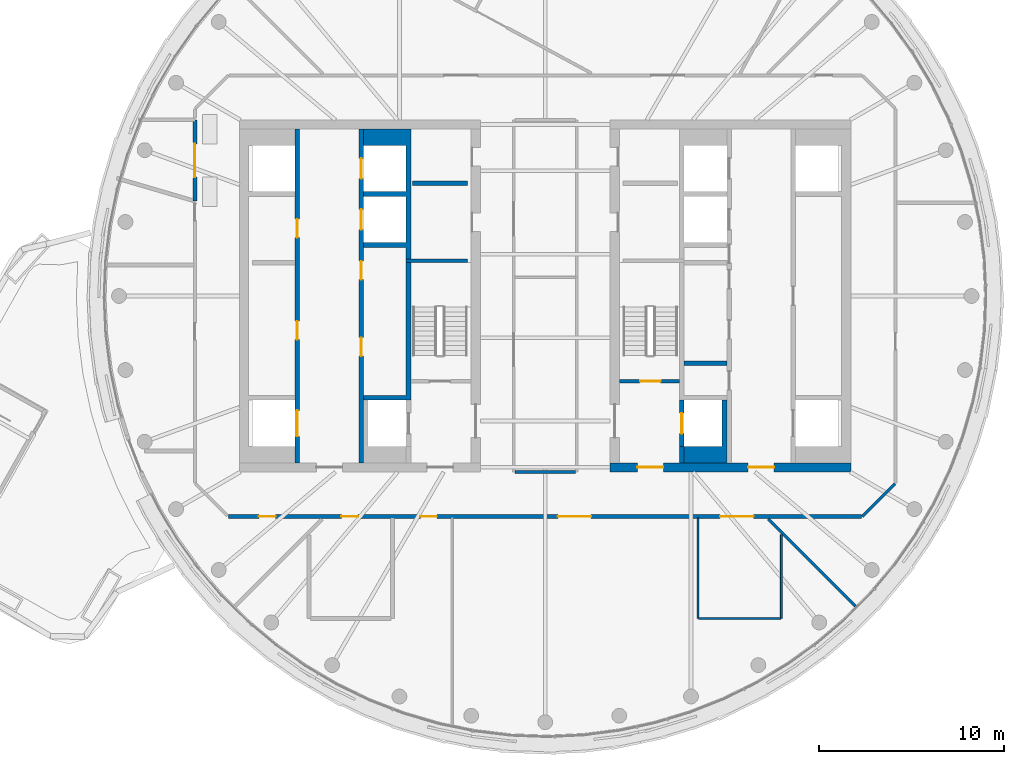
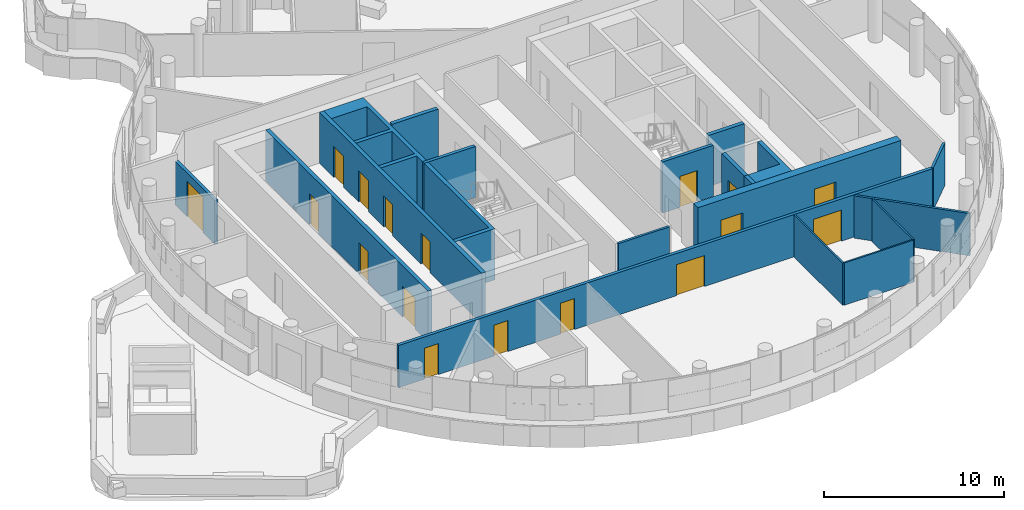
# One storey, part 14 of 22: 19 walls, 17 doors, 17 openings.
"""IFC4 building model written with IfcOpenShell, lengths in metres."""

from ifc_helpers import new_model, si_unit, direction, frame, frame_2d, origin, place, context, subcontext, project, spatial, polyline, rectangle, outline, extrude, material, layer, layer_set, type_object, element, fill, save


model = new_model("IFC4")

# Units and contexts
model_context = context("Model", 3, precision=1e-05, world=origin(), true_north=direction((0.0, 1.0)))
body_context = subcontext(model_context, "Body", "Model", "MODEL_VIEW")
ifc_project = project(units=[si_unit("LENGTHUNIT", "METRE"), si_unit("AREAUNIT", "SQUARE_METRE"), si_unit("VOLUMEUNIT", "CUBIC_METRE"), si_unit("PLANEANGLEUNIT", "RADIAN"), si_unit("MASSUNIT", "GRAM", prefix="KILO")], contexts=[model_context])

# Site, building, storey
site_placement = place(None, origin())
site = spatial("IfcSite", under=ifc_project, at=site_placement, CompositionType="ELEMENT")
building_placement = place(site_placement, origin())
building = spatial("IfcBuilding", under=site, at=building_placement, Name="Tamarind Cross Interchange Tower", CompositionType="ELEMENT")
storey_placement = place(building_placement, frame((0.0, 0.0, 256.800048828125)))
storey = spatial("IfcBuildingStorey", under=building, at=storey_placement, Name="L65", CompositionType="ELEMENT", Elevation=256.800048828125)

# Wall, opening, door
ifc_material_1 = material(Name="Concrete C40", Category="concrete")
ifc_layer_1 = layer(ifc_material_1, 0.199951171875)
ifc_layer_set_1 = layer_set([ifc_layer_1], Name="Concrete C40")
wall_type_1 = type_object("IfcWallType", Name="Balcony and garden door wall", PredefinedType="SOLIDWALL", material=ifc_layer_set_1)
wall_1_placement = place(storey_placement, frame((-18.89990234375, 9.5, 0.0), z_axis=(0.0, 0.0, 1.0), x_axis=(0.0, -1.0, 0.0)))
wall_1 = element("IfcWall", 1, at=wall_1_placement, inside=storey, type_object=wall_type_1, Name="EXW-L65-WG-L65-NNa", PredefinedType="SOLIDWALL", context=body_context, shape_type="SweptSolid", body=[
    extrude(rectangle(XDim=4.384033203125, YDim=0.199951171875, at=frame_2d((2.19189453125, 0.0))), origin(), (0.0, 0.0, 1.0), 2.9638671875),
])
opening_1_placement = place(wall_1_placement, frame((1.2919921875, 0.0, 0.0)))
opening_1 = element("IfcOpeningElement", 2, at=opening_1_placement, cuts=wall_1, Name="Opening D6", PredefinedType="OPENING", context=body_context, shape_type="SweptSolid", body=[
    extrude(rectangle(XDim=1.800048828125, YDim=2.39990234375, at=frame_2d((0.89990234375, 1.199951171875))), frame((0.0, 0.10986328125, 0.0), z_axis=(0.0, -1.0, 0.0), x_axis=(1.0, 0.0, 0.0)), (0.0, 0.0, 1.0), 0.219970703125),
])
ifc_material_2 = material(Name="Aluminium and toughened glass, fire-resisting", Category="aluminium")
door_type_1 = type_object("IfcDoorType", Name="Roof garden door, fire-resisting", OperationType="DOUBLE_DOOR_SINGLE_SWING", PredefinedType="DOOR", material=ifc_material_2)
door_1_placement = place(opening_1_placement, origin())
door_1 = element("IfcDoor", 3, at=door_1_placement, inside=storey, type_object=door_type_1, Name="DOR-L65-WG-L65-NNa", OperationType="SINGLE_SWING_LEFT", OverallHeight=2.39990234375, OverallWidth=1.800048828125, PredefinedType="DOOR", context=body_context, shape_type="SweptSolid", body=[
    extrude(rectangle(XDim=1.800048828125, YDim=2.39990234375, at=frame_2d((0.89990234375, 1.199951171875))), frame((0.0, 0.02490234375, 0.0), z_axis=(0.0, -1.0, 0.0), x_axis=(1.0, 0.0, 0.0)), (0.0, 0.0, 1.0), 0.050048828125),
])
fill(opening_1, door_1)

# Wall, openings, doors
ifc_material_3 = material(Name="Concrete C50", Category="concrete")
ifc_layer_2 = layer(ifc_material_3, 0.5)
ifc_layer_set_2 = layer_set([ifc_layer_2], Name="Concrete C50")
wall_type_2 = type_object("IfcWallType", Name="Core wall 500 mm Concrete C50", PredefinedType="SHEAR", material=ifc_layer_set_2)
wall_2_placement = place(storey_placement, frame((16.5, -9.25, 0.0), z_axis=(0.0, 0.0, 1.0), x_axis=(-1.0, 0.0, 0.0)))
wall_2 = element("IfcWall", 4, at=wall_2_placement, inside=storey, type_object=wall_type_2, Name="Core wall CWL-L65-E-S", PredefinedType="SHEAR", context=body_context, shape_type="SweptSolid", body=[
    extrude(rectangle(XDim=13.0, YDim=0.5, at=frame_2d((6.5, 0.0))), origin(), (0.0, 0.0, 1.0), 3.4599609375),
])
opening_2_placement = place(wall_2_placement, frame((4.14990234375, 0.0, 0.0)))
opening_2 = element("IfcOpeningElement", 5, at=opening_2_placement, cuts=wall_2, Name="Opening DCE1", PredefinedType="OPENING", context=body_context, shape_type="SweptSolid", body=[
    extrude(rectangle(XDim=1.39990234375, YDim=2.10009765625, at=frame_2d((0.699951171875, 1.050048828125))), frame((0.0, 0.260009765625, 0.0), z_axis=(0.0, -1.0, 0.0), x_axis=(1.0, 0.0, 0.0)), (0.0, 0.0, 1.0), 0.52001953125),
])
opening_3_placement = place(wall_2_placement, frame((10.125, 0.0, 0.0)))
opening_3 = element("IfcOpeningElement", 6, at=opening_3_placement, cuts=wall_2, Name="Opening DCEF", PredefinedType="OPENING", context=body_context, shape_type="SweptSolid", body=[
    extrude(rectangle(XDim=1.39990234375, YDim=2.10009765625, at=frame_2d((0.699951171875, 1.050048828125))), frame((0.0, 0.260009765625, 0.0), z_axis=(0.0, -1.0, 0.0), x_axis=(1.0, 0.0, 0.0)), (0.0, 0.0, 1.0), 0.52001953125),
])
ifc_material_4 = material(Name="Steel, fire-resisting", Category="steel")
door_type_2 = type_object("IfcDoorType", Name="Core fire door 1400 x 2100 FD90", OperationType="SINGLE_SWING_LEFT", PredefinedType="DOOR", material=ifc_material_4)
door_2_placement = place(opening_2_placement, origin())
door_2 = element("IfcDoor", 7, at=door_2_placement, inside=storey, type_object=door_type_2, Name="L65 lift lobby door", OperationType="SINGLE_SWING_LEFT", OverallHeight=2.10009765625, OverallWidth=1.39990234375, PredefinedType="DOOR", context=body_context, shape_type="SweptSolid", body=[
    extrude(rectangle(XDim=1.39990234375, YDim=2.10009765625, at=frame_2d((0.699951171875, 1.050048828125))), frame((0.0, 0.02490234375, 0.0), z_axis=(0.0, -1.0, 0.0), x_axis=(1.0, 0.0, 0.0)), (0.0, 0.0, 1.0), 0.050048828125),
])
fill(opening_2, door_2)
door_3_placement = place(opening_3_placement, origin())
door_3 = element("IfcDoor", 8, at=door_3_placement, inside=storey, type_object=door_type_2, Name="L65 firefighting lobby end door", OperationType="SINGLE_SWING_LEFT", OverallHeight=2.10009765625, OverallWidth=1.39990234375, PredefinedType="DOOR", context=body_context, shape_type="SweptSolid", body=[
    extrude(rectangle(XDim=1.39990234375, YDim=2.10009765625, at=frame_2d((0.699951171875, 1.050048828125))), frame((0.0, 0.02490234375, 0.0), z_axis=(0.0, -1.0, 0.0), x_axis=(1.0, 0.0, 0.0)), (0.0, 0.0, 1.0), 0.050048828125),
])
fill(opening_3, door_3)

# Walls
ifc_layer_3 = layer(ifc_material_3, 0.199951171875)
ifc_layer_set_3 = layer_set([ifc_layer_3], Name="Concrete C50")
wall_type_3 = type_object("IfcWallType", Name="Core web wall 200 mm Concrete C50", PredefinedType="SHEAR", material=ifc_layer_set_3)
wall_3_placement = place(storey_placement, frame((-7.5, 1.89990234375, 0.0), z_axis=(0.0, 0.0, 1.0), x_axis=(1.0, 0.0, 0.0)))
element("IfcWall", 9, at=wall_3_placement, inside=storey, type_object=wall_type_3, Name="Core wall CWL-L65-W-BD", PredefinedType="SHEAR", context=body_context, shape_type="SweptSolid", body=[
    extrude(rectangle(XDim=3.300048828125, YDim=0.199951171875, at=frame_2d((1.64990234375, 0.0))), origin(), (0.0, 0.0, 1.0), 3.4599609375),
])
ifc_layer_4 = layer(ifc_material_3, 0.25)
ifc_layer_set_4 = layer_set([ifc_layer_4], Name="Concrete C50")
wall_type_4 = type_object("IfcWallType", Name="Core web wall 250 mm Concrete C50", PredefinedType="SHEAR", material=ifc_layer_set_4)
wall_4_placement = place(storey_placement, origin())
element("IfcWall", 10, at=wall_4_placement, inside=storey, type_object=wall_type_4, Name="Core wall CWL-L65-W-BN", PredefinedType="SHEAR", context=body_context, shape_type="SweptSolid", body=[
    extrude(outline(polyline([(-9.800048828125, -5.375), (-9.800048828125, -5.625), (-7.5, -5.625), (-7.25, -5.625), (-7.25, 9.0), (-7.5, 9.0), (-9.800048828125, 9.0), (-9.800048828125, 8.125), (-7.5, 8.125), (-7.5, 5.625), (-9.800048828125, 5.625), (-9.800048828125, 5.375), (-7.5, 5.375), (-7.5, 2.875), (-9.800048828125, 2.875), (-9.800048828125, 2.625), (-7.5, 2.625), (-7.5, -5.375), (-9.800048828125, -5.375)])), origin(), (0.0, 0.0, 1.0), 3.4599609375),
])

# Wall, openings, doors
wall_5_placement = place(storey_placement, frame((-13.375, -9.0, 0.0), z_axis=(0.0, 0.0, 1.0), x_axis=(0.0, 1.0, 0.0)))
wall_5 = element("IfcWall", 11, at=wall_5_placement, inside=storey, type_object=wall_type_4, Name="Core wall CWL-L65-W-LA", PredefinedType="SHEAR", context=body_context, shape_type="SweptSolid", body=[
    extrude(rectangle(XDim=18.0, YDim=0.25, at=frame_2d((9.0, 0.0))), origin(), (0.0, 0.0, 1.0), 3.4599609375),
])
opening_4_placement = place(wall_5_placement, frame((1.425048828125, 0.0, 0.0)))
opening_4 = element("IfcOpeningElement", 12, at=opening_4_placement, cuts=wall_5, Name="Opening LD1L65", PredefinedType="OPENING", context=body_context, shape_type="SweptSolid", body=[
    extrude(rectangle(XDim=1.39990234375, YDim=2.10009765625, at=frame_2d((0.699951171875, 1.050048828125))), frame((0.0, 0.135009765625, 0.0), z_axis=(0.0, -1.0, 0.0), x_axis=(1.0, 0.0, 0.0)), (0.0, 0.0, 1.0), 0.27001953125),
])
opening_5_placement = place(wall_5_placement, frame((6.64599609375, 0.0, 0.0)))
opening_5 = element("IfcOpeningElement", 13, at=opening_5_placement, cuts=wall_5, Name="Opening DCW9", PredefinedType="OPENING", context=body_context, shape_type="SweptSolid", body=[
    extrude(rectangle(XDim=1.0, YDim=2.10009765625, at=frame_2d((0.5, 1.050048828125))), frame((0.0, 0.135009765625, 0.0), z_axis=(0.0, -1.0, 0.0), x_axis=(1.0, 0.0, 0.0)), (0.0, 0.0, 1.0), 0.27001953125),
])
opening_6_placement = place(wall_5_placement, frame((12.14599609375, 0.0, 0.0)))
opening_6 = element("IfcOpeningElement", 14, at=opening_6_placement, cuts=wall_5, Name="Opening DCW10", PredefinedType="OPENING", context=body_context, shape_type="SweptSolid", body=[
    extrude(rectangle(XDim=1.0, YDim=2.10009765625, at=frame_2d((0.5, 1.050048828125))), frame((0.0, 0.135009765625, 0.0), z_axis=(0.0, -1.0, 0.0), x_axis=(1.0, 0.0, 0.0)), (0.0, 0.0, 1.0), 0.27001953125),
])
door_type_3 = type_object("IfcDoorType", Name="Core fire door 1000 x 2100 FD90", OperationType="SINGLE_SWING_LEFT", PredefinedType="DOOR", material=ifc_material_4)
door_4_placement = place(opening_5_placement, origin())
door_4 = element("IfcDoor", 15, at=door_4_placement, inside=storey, type_object=door_type_3, Name="L65 Guest laundry door", OperationType="SINGLE_SWING_LEFT", OverallHeight=2.10009765625, OverallWidth=1.0, PredefinedType="DOOR", context=body_context, shape_type="SweptSolid", body=[
    extrude(rectangle(XDim=1.0, YDim=2.10009765625, at=frame_2d((0.5, 1.050048828125))), frame((0.0, 0.02490234375, 0.0), z_axis=(0.0, -1.0, 0.0), x_axis=(1.0, 0.0, 0.0)), (0.0, 0.0, 1.0), 0.050048828125),
])
fill(opening_5, door_4)
door_5_placement = place(opening_6_placement, origin())
door_5 = element("IfcDoor", 16, at=door_5_placement, inside=storey, type_object=door_type_3, Name="L65 Housekeeping pantry door", OperationType="SINGLE_SWING_LEFT", OverallHeight=2.10009765625, OverallWidth=1.0, PredefinedType="DOOR", context=body_context, shape_type="SweptSolid", body=[
    extrude(rectangle(XDim=1.0, YDim=2.10009765625, at=frame_2d((0.5, 1.050048828125))), frame((0.0, 0.02490234375, 0.0), z_axis=(0.0, -1.0, 0.0), x_axis=(1.0, 0.0, 0.0)), (0.0, 0.0, 1.0), 0.050048828125),
])
fill(opening_6, door_5)
ifc_material_5 = material(Name="Stainless steel panel", Category="steel")
door_type_4 = type_object("IfcDoorType", Name="Lift landing door 1400 x 2100 E 120", OperationType="SLIDING_TO_LEFT", PredefinedType="DOOR", material=ifc_material_5)
door_6_placement = place(opening_4_placement, origin())
door_6 = element("IfcDoor", 17, at=door_6_placement, inside=storey, type_object=door_type_4, Name="L65 landing door LF1", OperationType="SLIDING_TO_LEFT", OverallHeight=2.10009765625, OverallWidth=1.39990234375, PredefinedType="DOOR", context=body_context, shape_type="SweptSolid", body=[
    extrude(rectangle(XDim=1.39990234375, YDim=2.10009765625, at=frame_2d((0.699951171875, 1.050048828125))), frame((0.0, 0.02490234375, 0.0), z_axis=(0.0, -1.0, 0.0), x_axis=(1.0, 0.0, 0.0)), (0.0, 0.0, 1.0), 0.050048828125),
])
fill(opening_4, door_6)

wall_6_placement = place(storey_placement, frame((-9.925048828125, -9.0, 0.0), z_axis=(0.0, 0.0, 1.0), x_axis=(0.0, 1.0, 0.0)))
wall_6 = element("IfcWall", 18, at=wall_6_placement, inside=storey, type_object=wall_type_4, Name="Core wall CWL-L65-W-LB", PredefinedType="SHEAR", context=body_context, shape_type="SweptSolid", body=[
    extrude(rectangle(XDim=18.0, YDim=0.25, at=frame_2d((9.0, 0.0))), origin(), (0.0, 0.0, 1.0), 3.4599609375),
])
opening_7_placement = place(wall_6_placement, frame((12.574951171875, 0.0, 0.0)))
opening_7 = element("IfcOpeningElement", 19, at=opening_7_placement, cuts=wall_6, Name="Opening LD11L65", PredefinedType="OPENING", context=body_context, shape_type="SweptSolid", body=[
    extrude(rectangle(XDim=1.10009765625, YDim=2.10009765625, at=frame_2d((0.550048828125, 1.050048828125))), frame((0.0, 0.135009765625, 0.0), z_axis=(0.0, -1.0, 0.0), x_axis=(1.0, 0.0, 0.0)), (0.0, 0.0, 1.0), 0.27001953125),
])
opening_8_placement = place(wall_6_placement, frame((15.324951171875, 0.0, 0.0)))
opening_8 = element("IfcOpeningElement", 20, at=opening_8_placement, cuts=wall_6, Name="Opening LD12L65", PredefinedType="OPENING", context=body_context, shape_type="SweptSolid", body=[
    extrude(rectangle(XDim=1.10009765625, YDim=2.10009765625, at=frame_2d((0.550048828125, 1.050048828125))), frame((0.0, 0.135009765625, 0.0), z_axis=(0.0, -1.0, 0.0), x_axis=(1.0, 0.0, 0.0)), (0.0, 0.0, 1.0), 0.27001953125),
])
opening_9_placement = place(wall_6_placement, frame((5.75, 0.0, 0.0)))
opening_9 = element("IfcOpeningElement", 21, at=opening_9_placement, cuts=wall_6, Name="Opening DCW21", PredefinedType="OPENING", context=body_context, shape_type="SweptSolid", body=[
    extrude(rectangle(XDim=1.0, YDim=2.10009765625, at=frame_2d((0.5, 1.050048828125))), frame((0.0, 0.135009765625, 0.0), z_axis=(0.0, -1.0, 0.0), x_axis=(1.0, 0.0, 0.0)), (0.0, 0.0, 1.0), 0.27001953125),
])
opening_10_placement = place(wall_6_placement, frame((9.875, 0.0, 0.0)))
opening_10 = element("IfcOpeningElement", 22, at=opening_10_placement, cuts=wall_6, Name="Opening DCW21", PredefinedType="OPENING", context=body_context, shape_type="SweptSolid", body=[
    extrude(rectangle(XDim=1.0, YDim=2.10009765625, at=frame_2d((0.5, 1.050048828125))), frame((0.0, 0.135009765625, 0.0), z_axis=(0.0, -1.0, 0.0), x_axis=(1.0, 0.0, 0.0)), (0.0, 0.0, 1.0), 0.27001953125),
])
door_7_placement = place(opening_9_placement, origin())
door_7 = element("IfcDoor", 23, at=door_7_placement, inside=storey, type_object=door_type_3, Name="L65 Housekeeping pantry door", OperationType="SINGLE_SWING_LEFT", OverallHeight=2.10009765625, OverallWidth=1.0, PredefinedType="DOOR", context=body_context, shape_type="SweptSolid", body=[
    extrude(rectangle(XDim=1.0, YDim=2.10009765625, at=frame_2d((0.5, 1.050048828125))), frame((0.0, 0.02490234375, 0.0), z_axis=(0.0, -1.0, 0.0), x_axis=(1.0, 0.0, 0.0)), (0.0, 0.0, 1.0), 0.050048828125),
])
fill(opening_9, door_7)
door_8_placement = place(opening_10_placement, origin())
door_8 = element("IfcDoor", 24, at=door_8_placement, inside=storey, type_object=door_type_3, Name="L65 Housekeeping pantry door", OperationType="SINGLE_SWING_LEFT", OverallHeight=2.10009765625, OverallWidth=1.0, PredefinedType="DOOR", context=body_context, shape_type="SweptSolid", body=[
    extrude(rectangle(XDim=1.0, YDim=2.10009765625, at=frame_2d((0.5, 1.050048828125))), frame((0.0, 0.02490234375, 0.0), z_axis=(0.0, -1.0, 0.0), x_axis=(1.0, 0.0, 0.0)), (0.0, 0.0, 1.0), 0.050048828125),
])
fill(opening_10, door_8)
door_type_5 = type_object("IfcDoorType", Name="Lift landing door 1100 x 2100 E 120", OperationType="SLIDING_TO_LEFT", PredefinedType="DOOR", material=ifc_material_5)
door_9_placement = place(opening_7_placement, origin())
door_9 = element("IfcDoor", 25, at=door_9_placement, inside=storey, type_object=door_type_5, Name="L65 landing door LF11", OperationType="SLIDING_TO_LEFT", OverallHeight=2.10009765625, OverallWidth=1.10009765625, PredefinedType="DOOR", context=body_context, shape_type="SweptSolid", body=[
    extrude(rectangle(XDim=1.10009765625, YDim=2.10009765625, at=frame_2d((0.550048828125, 1.050048828125))), frame((0.0, 0.02490234375, 0.0), z_axis=(0.0, -1.0, 0.0), x_axis=(1.0, 0.0, 0.0)), (0.0, 0.0, 1.0), 0.050048828125),
])
fill(opening_7, door_9)
door_10_placement = place(opening_8_placement, origin())
door_10 = element("IfcDoor", 26, at=door_10_placement, inside=storey, type_object=door_type_5, Name="L65 landing door LF12", OperationType="SLIDING_TO_LEFT", OverallHeight=2.10009765625, OverallWidth=1.10009765625, PredefinedType="DOOR", context=body_context, shape_type="SweptSolid", body=[
    extrude(rectangle(XDim=1.10009765625, YDim=2.10009765625, at=frame_2d((0.550048828125, 1.050048828125))), frame((0.0, 0.02490234375, 0.0), z_axis=(0.0, -1.0, 0.0), x_axis=(1.0, 0.0, 0.0)), (0.0, 0.0, 1.0), 0.050048828125),
])
fill(opening_8, door_10)

# Walls
wall_7_placement = place(storey_placement, origin())
element("IfcWall", 27, at=wall_7_placement, inside=storey, type_object=wall_type_4, Name="Core wall CWL-L65-E-BS", PredefinedType="SHEAR", context=body_context, shape_type="SweptSolid", body=[
    extrude(outline(polyline([(7.5, -8.125), (7.5, -9.0), (9.800048828125, -9.0), (9.800048828125, -8.125), (9.800048828125, -5.625), (9.550048828125, -5.625), (9.550048828125, -8.125), (7.5, -8.125)])), origin(), (0.0, 0.0, 1.0), 3.4599609375),
])
wall_8_placement = place(storey_placement, frame((7.375, -9.0, 0.0), z_axis=(0.0, 0.0, 1.0), x_axis=(0.0, 1.0, 0.0)))
element("IfcWall", 28, at=wall_8_placement, inside=storey, type_object=wall_type_4, Name="Core wall CWL-L65-E-BW", PredefinedType="SHEAR", context=body_context, shape_type="SweptSolid", body=[
    extrude(rectangle(XDim=0.875, YDim=0.25, at=frame_2d((0.4375, 0.0))), origin(), (0.0, 0.0, 1.0), 3.4599609375),
])

# Wall, opening, door
wall_9_placement = place(storey_placement, frame((7.375, -8.125, 0.0), z_axis=(0.0, 0.0, 1.0), x_axis=(0.0, 1.0, 0.0)))
wall_9 = element("IfcWall", 29, at=wall_9_placement, inside=storey, type_object=wall_type_4, Name="Core wall CWL-L65-E-FF", PredefinedType="SHEAR", context=body_context, shape_type="SweptSolid", body=[
    extrude(rectangle(XDim=2.5, YDim=0.25, at=frame_2d((1.25, 0.0))), origin(), (0.0, 0.0, 1.0), 3.4599609375),
])
opening_11_placement = place(wall_9_placement, frame((0.699951171875, 0.0, 0.0)))
opening_11 = element("IfcOpeningElement", 30, at=opening_11_placement, cuts=wall_9, Name="Opening LD19L65", PredefinedType="OPENING", context=body_context, shape_type="SweptSolid", body=[
    extrude(rectangle(XDim=1.10009765625, YDim=2.10009765625, at=frame_2d((0.550048828125, 1.050048828125))), frame((0.0, 0.135009765625, 0.0), z_axis=(0.0, -1.0, 0.0), x_axis=(1.0, 0.0, 0.0)), (0.0, 0.0, 1.0), 0.27001953125),
])
door_11_placement = place(opening_11_placement, origin())
door_11 = element("IfcDoor", 31, at=door_11_placement, inside=storey, type_object=door_type_5, Name="L65 landing door LF19", OperationType="SLIDING_TO_LEFT", OverallHeight=2.10009765625, OverallWidth=1.10009765625, PredefinedType="DOOR", context=body_context, shape_type="SweptSolid", body=[
    extrude(rectangle(XDim=1.10009765625, YDim=2.10009765625, at=frame_2d((0.550048828125, 1.050048828125))), frame((0.0, 0.02490234375, 0.0), z_axis=(0.0, -1.0, 0.0), x_axis=(1.0, 0.0, 0.0)), (0.0, 0.0, 1.0), 0.050048828125),
])
fill(opening_11, door_11)

# Walls
ifc_material_6 = material(Name="Gypsum board partition on steel studs", Category="steel")
ifc_layer_5 = layer(ifc_material_6, 0.10009765625)
ifc_layer_set_5 = layer_set([ifc_layer_5], Name="Gypsum board partition on steel studs")
wall_type_5 = type_object("IfcWallType", Name="Partition 100 mm EI 90", PredefinedType="PARTITIONING", material=ifc_layer_set_5)
wall_10_placement = place(storey_placement, frame((8.27587890625, -17.39990234375, 0.0), z_axis=(0.0, 0.0, 1.0), x_axis=(1.0, 0.0, 0.0)))
element("IfcWall", 32, at=wall_10_placement, inside=storey, type_object=wall_type_5, Name="Partition L65-022", PredefinedType="PARTITIONING", context=body_context, shape_type="SweptSolid", body=[
    extrude(rectangle(XDim=4.43017578125, YDim=0.10009765625, at=frame_2d((2.215087890625, 0.0))), origin(), (0.0, 0.0, 1.0), 2.864013671875),
])
wall_11_placement = place(storey_placement, frame((8.240966796875, -17.39990234375, 0.0), z_axis=(0.0, 0.0, 1.0), x_axis=(0.0, 1.0, 0.0)))
element("IfcWall", 33, at=wall_11_placement, inside=storey, type_object=wall_type_5, Name="Partition L65-050", PredefinedType="PARTITIONING", context=body_context, shape_type="SweptSolid", body=[
    extrude(rectangle(XDim=5.419921875, YDim=0.10009765625, at=frame_2d((2.7099609375, 0.0))), origin(), (0.0, 0.0, 1.0), 2.864013671875),
])
wall_12_placement = place(storey_placement, frame((12.740966796875, -17.39990234375, 0.0), z_axis=(0.0, 0.0, 1.0), x_axis=(0.0, 1.0, 0.0)))
element("IfcWall", 34, at=wall_12_placement, inside=storey, type_object=wall_type_5, Name="Partition L65-051", PredefinedType="PARTITIONING", context=body_context, shape_type="SweptSolid", body=[
    extrude(rectangle(XDim=4.518798828125, YDim=0.10009765625, at=frame_2d((2.25927734375, 0.0))), origin(), (0.0, 0.0, 1.0), 2.864013671875),
])
ifc_layer_6 = layer(ifc_material_6, 0.14990234375)
ifc_layer_set_6 = layer_set([ifc_layer_6], Name="Gypsum board partition on steel studs")
wall_type_6 = type_object("IfcWallType", Name="Partition 150 mm EI 120", PredefinedType="PARTITIONING", material=ifc_layer_set_6)
wall_13_placement = place(storey_placement, frame((12.034423828125, -12.034423828125, 0.0), z_axis=(0.0, 0.0, 1.0), x_axis=(0.707106781187, -0.707106781187, 0.0)))
element("IfcWall", 35, at=wall_13_placement, inside=storey, type_object=wall_type_6, Name="Partition L65-003", PredefinedType="PARTITIONING", context=body_context, shape_type="SweptSolid", body=[
    extrude(rectangle(XDim=6.6552734375, YDim=0.14990234375, at=frame_2d((3.32763671875, 0.0))), origin(), (0.0, 0.0, 1.0), 2.864013671875),
])
wall_14_placement = place(storey_placement, frame((-1.639892578125, -9.5, 0.0), z_axis=(0.0, 0.0, 1.0), x_axis=(1.0, 0.0, 0.0)))
element("IfcWall", 36, at=wall_14_placement, inside=storey, type_object=wall_type_6, Name="Partition L65-023", PredefinedType="PARTITIONING", context=body_context, shape_type="SweptSolid", body=[
    extrude(rectangle(XDim=3.27978515625, YDim=0.14990234375, at=frame_2d((1.639892578125, 0.0))), origin(), (0.0, 0.0, 1.0), 2.864013671875),
])
wall_15_placement = place(storey_placement, frame((17.10009765625, -11.89990234375, 0.0), z_axis=(0.0, 0.0, 1.0), x_axis=(0.707106781187, 0.707106781187, 0.0)))
element("IfcWall", 37, at=wall_15_placement, inside=storey, type_object=wall_type_6, Name="Partition L65-030", PredefinedType="PARTITIONING", context=body_context, shape_type="SweptSolid", body=[
    extrude(rectangle(XDim=2.50537109375, YDim=0.14990234375, at=frame_2d((1.252685546875, 0.0))), origin(), (0.0, 0.0, 1.0), 2.864013671875),
])

# Wall, openings, doors
ifc_layer_7 = layer(ifc_material_6, 0.199951171875)
ifc_layer_set_7 = layer_set([ifc_layer_7], Name="Gypsum board partition on steel studs")
wall_type_7 = type_object("IfcWallType", Name="Partition 200 mm EI 180", PredefinedType="PARTITIONING", material=ifc_layer_set_7)
wall_16_placement = place(storey_placement, frame((-17.10009765625, -11.89990234375, 0.0), z_axis=(0.0, 0.0, 1.0), x_axis=(1.0, 0.0, 0.0)))
wall_16 = element("IfcWall", 38, at=wall_16_placement, inside=storey, type_object=wall_type_7, Name="Partition L65-019", PredefinedType="PARTITIONING", context=body_context, shape_type="SweptSolid", body=[
    extrude(rectangle(XDim=34.1650390625, YDim=0.199951171875, at=frame_2d((17.08251953125, 0.0))), origin(), (0.0, 0.0, 1.0), 2.864013671875),
])
opening_12_placement = place(wall_16_placement, frame((6.10009765625, 0.0, 0.0)))
opening_12 = element("IfcOpeningElement", 39, at=opening_12_placement, cuts=wall_16, Name="Opening D05", PredefinedType="OPENING", context=body_context, shape_type="SweptSolid", body=[
    extrude(rectangle(XDim=0.89990234375, YDim=2.10009765625, at=frame_2d((0.449951171875, 1.050048828125))), frame((0.0, 0.10986328125, 0.0), z_axis=(0.0, -1.0, 0.0), x_axis=(1.0, 0.0, 0.0)), (0.0, 0.0, 1.0), 0.219970703125),
])
opening_13_placement = place(wall_16_placement, frame((26.541015625, 0.0, 0.0)))
opening_13 = element("IfcOpeningElement", 40, at=opening_13_placement, cuts=wall_16, Name="Opening D06", PredefinedType="OPENING", context=body_context, shape_type="SweptSolid", body=[
    extrude(rectangle(XDim=1.800048828125, YDim=2.10009765625, at=frame_2d((0.89990234375, 1.050048828125))), frame((0.0, 0.10986328125, 0.0), z_axis=(0.0, -1.0, 0.0), x_axis=(1.0, 0.0, 0.0)), (0.0, 0.0, 1.0), 0.219970703125),
])
opening_14_placement = place(wall_16_placement, frame((17.778076171875, 0.0, 0.0)))
opening_14 = element("IfcOpeningElement", 41, at=opening_14_placement, cuts=wall_16, Name="Opening D07", PredefinedType="OPENING", context=body_context, shape_type="SweptSolid", body=[
    extrude(rectangle(XDim=1.800048828125, YDim=2.10009765625, at=frame_2d((0.89990234375, 1.050048828125))), frame((0.0, 0.10986328125, 0.0), z_axis=(0.0, -1.0, 0.0), x_axis=(1.0, 0.0, 0.0)), (0.0, 0.0, 1.0), 0.219970703125),
])
opening_15_placement = place(wall_16_placement, frame((10.35888671875, 0.0, 0.0)))
opening_15 = element("IfcOpeningElement", 42, at=opening_15_placement, cuts=wall_16, Name="Opening D08", PredefinedType="OPENING", context=body_context, shape_type="SweptSolid", body=[
    extrude(rectangle(XDim=0.89990234375, YDim=2.10009765625, at=frame_2d((0.449951171875, 1.050048828125))), frame((0.0, 0.10986328125, 0.0), z_axis=(0.0, -1.0, 0.0), x_axis=(1.0, 0.0, 0.0)), (0.0, 0.0, 1.0), 0.219970703125),
])
opening_16_placement = place(wall_16_placement, frame((1.64990234375, 0.0, 0.0)))
opening_16 = element("IfcOpeningElement", 43, at=opening_16_placement, cuts=wall_16, Name="Opening D09", PredefinedType="OPENING", context=body_context, shape_type="SweptSolid", body=[
    extrude(rectangle(XDim=0.89990234375, YDim=2.10009765625, at=frame_2d((0.449951171875, 1.050048828125))), frame((0.0, 0.10986328125, 0.0), z_axis=(0.0, -1.0, 0.0), x_axis=(1.0, 0.0, 0.0)), (0.0, 0.0, 1.0), 0.219970703125),
])
ifc_material_7 = material(Name="Fire-resisting door set")
door_type_6 = type_object("IfcDoorType", Name="Interior door 1800 x 2100 FD120S", OperationType="DOUBLE_DOOR_SINGLE_SWING", PredefinedType="DOOR", material=ifc_material_7)
door_12_placement = place(opening_13_placement, frame((1.800048828125, 0.0, 0.0), z_axis=(0.0, 0.0, 1.0), x_axis=(-1.0, 0.0, 0.0)))
door_12 = element("IfcDoor", 44, at=door_12_placement, inside=storey, type_object=door_type_6, Name="Door D06", OperationType="DOUBLE_DOOR_SINGLE_SWING", OverallHeight=2.10009765625, OverallWidth=1.800048828125, PredefinedType="DOOR", context=body_context, shape_type="SweptSolid", body=[
    extrude(rectangle(XDim=1.800048828125, YDim=2.10009765625, at=frame_2d((0.89990234375, 1.050048828125))), frame((0.0, 0.02490234375, 0.0), z_axis=(0.0, -1.0, 0.0), x_axis=(1.0, 0.0, 0.0)), (0.0, 0.0, 1.0), 0.050048828125),
])
fill(opening_13, door_12)
door_13_placement = place(opening_14_placement, origin())
door_13 = element("IfcDoor", 45, at=door_13_placement, inside=storey, type_object=door_type_6, Name="Door D07", OperationType="DOUBLE_DOOR_SINGLE_SWING", OverallHeight=2.10009765625, OverallWidth=1.800048828125, PredefinedType="DOOR", context=body_context, shape_type="SweptSolid", body=[
    extrude(rectangle(XDim=1.800048828125, YDim=2.10009765625, at=frame_2d((0.89990234375, 1.050048828125))), frame((0.0, 0.02490234375, 0.0), z_axis=(0.0, -1.0, 0.0), x_axis=(1.0, 0.0, 0.0)), (0.0, 0.0, 1.0), 0.050048828125),
])
fill(opening_14, door_13)
door_type_7 = type_object("IfcDoorType", Name="Interior door 900 x 2100 FD120S", OperationType="SINGLE_SWING_LEFT", PredefinedType="DOOR", material=ifc_material_7)
door_14_placement = place(opening_12_placement, frame((0.89990234375, 0.0, 0.0), z_axis=(0.0, 0.0, 1.0), x_axis=(-1.0, 0.0, 0.0)))
door_14 = element("IfcDoor", 46, at=door_14_placement, inside=storey, type_object=door_type_7, Name="Door D05", OperationType="SINGLE_SWING_LEFT", OverallHeight=2.10009765625, OverallWidth=0.89990234375, PredefinedType="DOOR", context=body_context, shape_type="SweptSolid", body=[
    extrude(rectangle(XDim=0.89990234375, YDim=2.10009765625, at=frame_2d((0.449951171875, 1.050048828125))), frame((0.0, 0.02490234375, 0.0), z_axis=(0.0, -1.0, 0.0), x_axis=(1.0, 0.0, 0.0)), (0.0, 0.0, 1.0), 0.050048828125),
])
fill(opening_12, door_14)
door_15_placement = place(opening_15_placement, frame((0.89990234375, 0.0, 0.0), z_axis=(0.0, 0.0, 1.0), x_axis=(-1.0, 0.0, 0.0)))
door_15 = element("IfcDoor", 47, at=door_15_placement, inside=storey, type_object=door_type_7, Name="Door D08", OperationType="SINGLE_SWING_LEFT", OverallHeight=2.10009765625, OverallWidth=0.89990234375, PredefinedType="DOOR", context=body_context, shape_type="SweptSolid", body=[
    extrude(rectangle(XDim=0.89990234375, YDim=2.10009765625, at=frame_2d((0.449951171875, 1.050048828125))), frame((0.0, 0.02490234375, 0.0), z_axis=(0.0, -1.0, 0.0), x_axis=(1.0, 0.0, 0.0)), (0.0, 0.0, 1.0), 0.050048828125),
])
fill(opening_15, door_15)
door_16_placement = place(opening_16_placement, frame((0.89990234375, 0.0, 0.0), z_axis=(0.0, 0.0, 1.0), x_axis=(-1.0, 0.0, 0.0)))
door_16 = element("IfcDoor", 48, at=door_16_placement, inside=storey, type_object=door_type_7, Name="Door D09", OperationType="SINGLE_SWING_LEFT", OverallHeight=2.10009765625, OverallWidth=0.89990234375, PredefinedType="DOOR", context=body_context, shape_type="SweptSolid", body=[
    extrude(rectangle(XDim=0.89990234375, YDim=2.10009765625, at=frame_2d((0.449951171875, 1.050048828125))), frame((0.0, 0.02490234375, 0.0), z_axis=(0.0, -1.0, 0.0), x_axis=(1.0, 0.0, 0.0)), (0.0, 0.0, 1.0), 0.050048828125),
])
fill(opening_16, door_16)

# Walls
ifc_layer_8 = layer(ifc_material_1, 0.25)
ifc_layer_set_8 = layer_set([ifc_layer_8], Name="Concrete C40")
wall_type_8 = type_object("IfcWallType", Name="Shaft and lobby wall 250 mm Concrete C40", PredefinedType="PARTITIONING", material=ifc_layer_set_8)
wall_17_placement = place(storey_placement, frame((-7.14990234375, 6.080078125, 0.0), z_axis=(0.0, 0.0, 1.0), x_axis=(1.0, 0.0, 0.0)))
element("IfcWall", 49, at=wall_17_placement, inside=storey, type_object=wall_type_8, Name="Shaft wall CWL-L65-W-SVP", PredefinedType="PARTITIONING", context=body_context, shape_type="SweptSolid", body=[
    extrude(rectangle(XDim=2.949951171875, YDim=0.25, at=frame_2d((1.47509765625, 0.0))), origin(), (0.0, 0.0, 1.0), 3.4599609375),
])
wall_18_placement = place(storey_placement, frame((9.800048828125, -3.625, 0.0), z_axis=(0.0, 0.0, 1.0), x_axis=(-1.0, 0.0, 0.0)))
element("IfcWall", 50, at=wall_18_placement, inside=storey, type_object=wall_type_8, Name="Shaft wall CWL-L65-E-FPB1", PredefinedType="PARTITIONING", context=body_context, shape_type="SweptSolid", body=[
    extrude(rectangle(XDim=2.300048828125, YDim=0.25, at=frame_2d((1.14990234375, 0.0))), origin(), (0.0, 0.0, 1.0), 3.4599609375),
])

# Wall, opening, door
ifc_layer_9 = layer(ifc_material_1, 0.199951171875)
ifc_layer_set_9 = layer_set([ifc_layer_9], Name="Concrete C40")
wall_type_9 = type_object("IfcWallType", Name="Stair shaft wall 200 mm Concrete C40", PredefinedType="SHEAR", material=ifc_layer_set_9)
wall_19_placement = place(storey_placement, frame((7.25, -4.60009765625, 0.0), z_axis=(0.0, 0.0, 1.0), x_axis=(-1.0, 0.0, 0.0)))
wall_19 = element("IfcWall", 51, at=wall_19_placement, inside=storey, type_object=wall_type_9, Name="Core wall CWL-L65-E-SD", PredefinedType="SHEAR", context=body_context, shape_type="SweptSolid", body=[
    extrude(rectangle(XDim=3.25, YDim=0.199951171875, at=frame_2d((1.625, 0.0))), origin(), (0.0, 0.0, 1.0), 3.4599609375),
])
opening_17_placement = place(wall_19_placement, frame((1.02490234375, 0.0, 0.0)))
opening_17 = element("IfcOpeningElement", 52, at=opening_17_placement, cuts=wall_19, Name="Opening DCE6", PredefinedType="OPENING", context=body_context, shape_type="SweptSolid", body=[
    extrude(rectangle(XDim=1.10009765625, YDim=2.10009765625, at=frame_2d((0.550048828125, 1.050048828125))), frame((0.0, 0.10986328125, 0.0), z_axis=(0.0, -1.0, 0.0), x_axis=(1.0, 0.0, 0.0)), (0.0, 0.0, 1.0), 0.219970703125),
])
door_type_8 = type_object("IfcDoorType", Name="Core fire door 1100 x 2100 FD90", OperationType="SINGLE_SWING_LEFT", PredefinedType="DOOR", material=ifc_material_4)
door_17_placement = place(opening_17_placement, origin())
door_17 = element("IfcDoor", 53, at=door_17_placement, inside=storey, type_object=door_type_8, Name="L65 stair door", OperationType="SINGLE_SWING_LEFT", OverallHeight=2.10009765625, OverallWidth=1.10009765625, PredefinedType="DOOR", context=body_context, shape_type="SweptSolid", body=[
    extrude(rectangle(XDim=1.10009765625, YDim=2.10009765625, at=frame_2d((0.550048828125, 1.050048828125))), frame((0.0, 0.02490234375, 0.0), z_axis=(0.0, -1.0, 0.0), x_axis=(1.0, 0.0, 0.0)), (0.0, 0.0, 1.0), 0.050048828125),
])
fill(opening_17, door_17)

save(model, "model.ifc")
